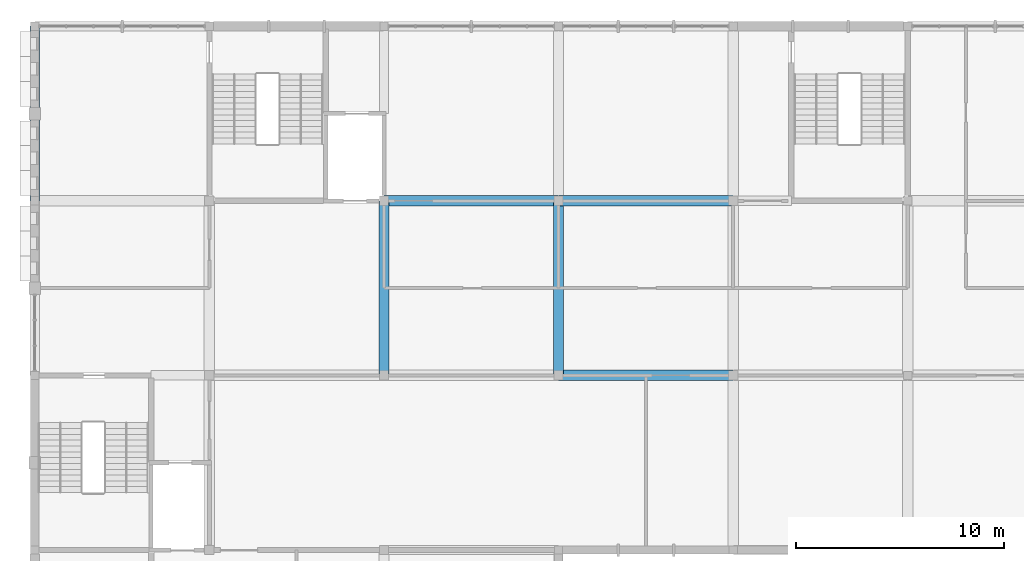
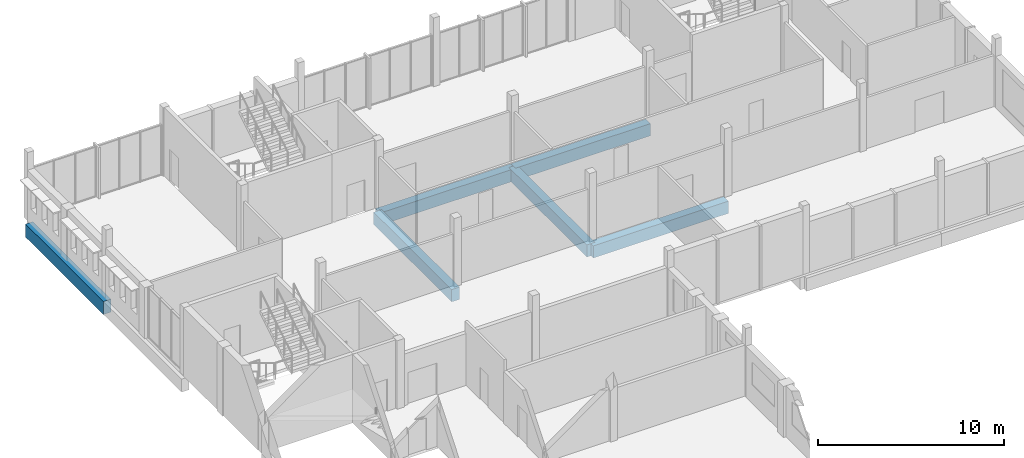
# One storey, part 8 of 30: 6 beams.
"""IFC4 building model written with IfcOpenShell, lengths in metres."""

from ifc_helpers import new_model, si_unit, direction, frame, origin, origin_2d, place, context, subcontext, project, spatial, rectangle, extrude, material, material_profile, profile_set, type_object, element, save


model = new_model("IFC4")

# Units and contexts
model_context = context("Model", 3, precision=1e-05, world=origin(), true_north=direction((0.0, 1.0)))
body_context = subcontext(model_context, "Body", "Model", "MODEL_VIEW")
ifc_project = project(units=[si_unit("LENGTHUNIT", "METRE"), si_unit("AREAUNIT", "SQUARE_METRE"), si_unit("VOLUMEUNIT", "CUBIC_METRE"), si_unit("PLANEANGLEUNIT", "RADIAN"), si_unit("MASSUNIT", "GRAM", prefix="KILO")], contexts=[model_context])

# Site, building, storey
site_placement = place(None, origin())
site = spatial("IfcSite", under=ifc_project, at=site_placement, CompositionType="ELEMENT")
building_placement = place(site_placement, origin())
building = spatial("IfcBuilding", under=site, at=building_placement, Name="Fescue Hill Polytechnic", CompositionType="ELEMENT")
storey_placement = place(building_placement, frame((0.0, 0.0, 22.5)))
storey = spatial("IfcBuildingStorey", under=building, at=storey_placement, Name="L05", CompositionType="ELEMENT", Elevation=22.5)

# Beams
ifc_material = material(Name="Concrete 35 MPa", Category="concrete")
ifc_material_profile_1 = material_profile(ifc_material, rectangle(XDim=0.449951171875, YDim=0.85009765625, at=origin_2d()), Name="RC 450x850")
ifc_profile_set_1 = profile_set([ifc_material_profile_1], Name="Concrete 35 MPa")
beam_type_1 = type_object("IfcBeamType", Name="Beam RC 450x850", PredefinedType="BEAM", material=ifc_profile_set_1)
beam_1_placement = place(storey_placement, frame((0.0, 126.0, -0.72509765625), z_axis=(0.0, 1.0, 0.0), x_axis=(-1.0, 0.0, 0.0)))
element("IfcBeam", 1, at=beam_1_placement, inside=storey, type_object=beam_type_1, Name="BM-L05-0007", PredefinedType="BEAM", context=body_context, shape_type="SweptSolid", body=[
    extrude(rectangle(XDim=0.449951171875, YDim=0.85009765625, at=origin_2d()), origin(), (0.0, 0.0, 1.0), 8.39990234375),
])
ifc_material_profile_2 = material_profile(ifc_material, rectangle(XDim=0.5, YDim=0.800048828125, at=origin_2d()), Name="RC 500x800")
ifc_profile_set_2 = profile_set([ifc_material_profile_2], Name="Concrete 35 MPa")
beam_type_2 = type_object("IfcBeamType", Name="Beam RC 500x800", PredefinedType="BEAM", material=ifc_profile_set_2)
beam_2_placement = place(storey_placement, frame((16.800048828125, 117.60009765625, -0.699951171875), z_axis=(0.0, 1.0, 0.0), x_axis=(-1.0, 0.0, 0.0)))
element("IfcBeam", 2, at=beam_2_placement, inside=storey, type_object=beam_type_2, Name="BM-L05-0040", PredefinedType="BEAM", context=body_context, shape_type="SweptSolid", body=[
    extrude(rectangle(XDim=0.5, YDim=0.800048828125, at=origin_2d()), origin(), (0.0, 0.0, 1.0), 8.39990234375),
])
beam_3_placement = place(storey_placement, frame((16.81005859375, 126.0, -0.699951171875), z_axis=(1.0, 0.0, 0.0), x_axis=(0.0, 1.0, 0.0)))
element("IfcBeam", 3, at=beam_3_placement, inside=storey, type_object=beam_type_2, Name="BM-L05-0049", PredefinedType="BEAM", context=body_context, shape_type="SweptSolid", body=[
    extrude(rectangle(XDim=0.5, YDim=0.800048828125, at=origin_2d()), origin(), (0.0, 0.0, 1.0), 8.3798828125),
])
beam_4_placement = place(storey_placement, frame((25.199951171875, 117.60009765625, -0.699951171875), z_axis=(0.0, 1.0, 0.0), x_axis=(-1.0, 0.0, 0.0)))
element("IfcBeam", 4, at=beam_4_placement, inside=storey, type_object=beam_type_2, Name="BM-L05-0056", PredefinedType="BEAM", context=body_context, shape_type="SweptSolid", body=[
    extrude(rectangle(XDim=0.5, YDim=0.800048828125, at=origin_2d()), origin(), (0.0, 0.0, 1.0), 8.39990234375),
])
beam_5_placement = place(storey_placement, frame((25.199951171875, 117.60009765625, -0.699951171875), z_axis=(1.0, 0.0, 0.0), x_axis=(0.0, 1.0, 0.0)))
element("IfcBeam", 5, at=beam_5_placement, inside=storey, type_object=beam_type_2, Name="BM-L05-0057", PredefinedType="BEAM", context=body_context, shape_type="SweptSolid", body=[
    extrude(rectangle(XDim=0.5, YDim=0.800048828125, at=origin_2d()), origin(), (0.0, 0.0, 1.0), 8.39013671875),
])
beam_6_placement = place(storey_placement, frame((25.2099609375, 126.0, -0.699951171875), z_axis=(1.0, 0.0, 0.0), x_axis=(0.0, 1.0, 0.0)))
element("IfcBeam", 6, at=beam_6_placement, inside=storey, type_object=beam_type_2, Name="BM-L05-0059", PredefinedType="BEAM", context=body_context, shape_type="SweptSolid", body=[
    extrude(rectangle(XDim=0.5, YDim=0.800048828125, at=origin_2d()), origin(), (0.0, 0.0, 1.0), 8.380126953125),
])

save(model, "model.ifc")
